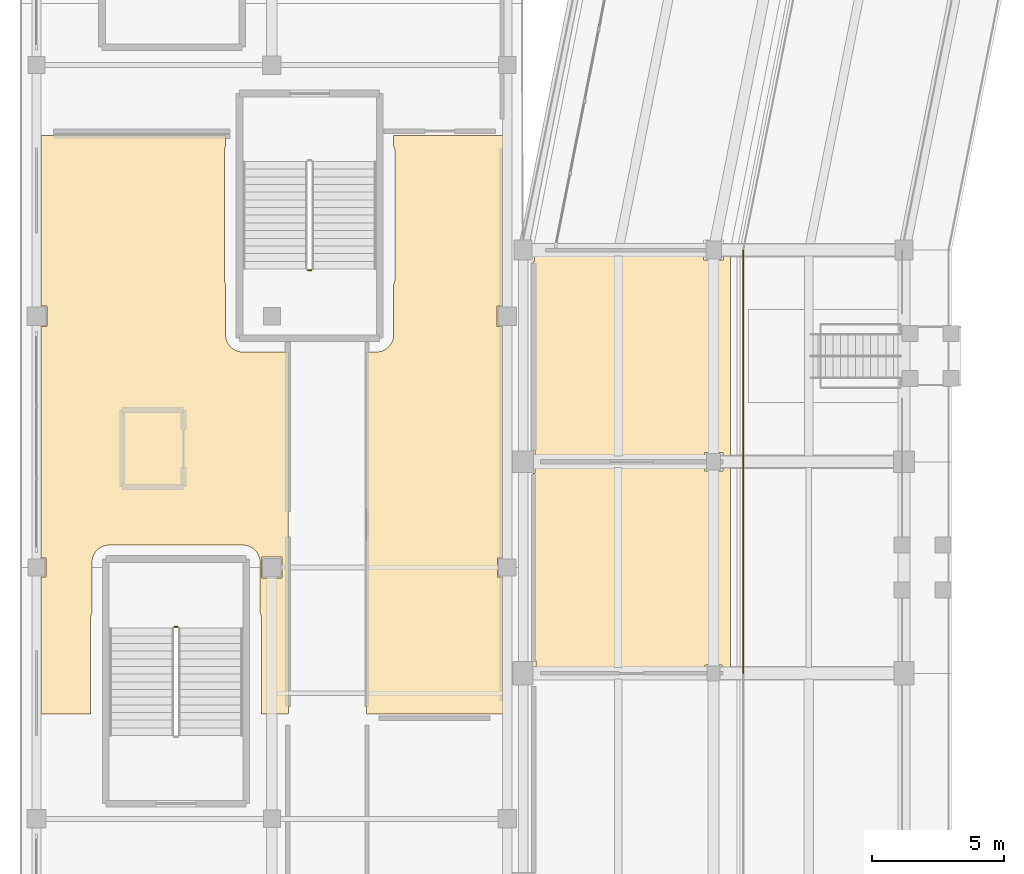
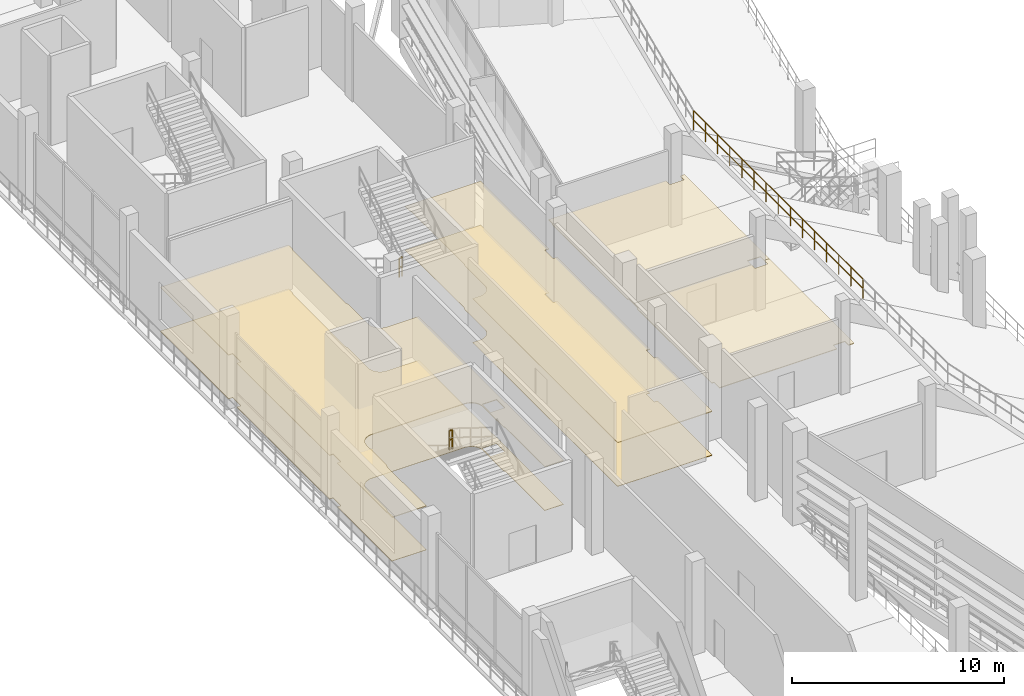
# One storey, part 105 of 127: 6 coverings, 4 railings.
"""IFC4 building model written with IfcOpenShell, lengths in metres."""

from ifc_helpers import new_model, si_unit, direction, frame, origin, origin_2d, place, context, subcontext, project, spatial, polyline, circle, outline, extrude, material, layer, layer_set, type_object, element, save


model = new_model("IFC4")

# Units and contexts
model_context = context("Model", 3, precision=1e-05, world=origin(), true_north=direction((0.0, 1.0)))
body_context = subcontext(model_context, "Body", "Model", "MODEL_VIEW")
ifc_project = project(units=[si_unit("LENGTHUNIT", "METRE"), si_unit("AREAUNIT", "SQUARE_METRE"), si_unit("VOLUMEUNIT", "CUBIC_METRE"), si_unit("PLANEANGLEUNIT", "RADIAN"), si_unit("MASSUNIT", "GRAM", prefix="KILO")], contexts=[model_context])

# Site, building, storey
site_placement = place(None, origin())
site = spatial("IfcSite", under=ifc_project, at=site_placement, CompositionType="ELEMENT")
building_placement = place(site_placement, origin())
building = spatial("IfcBuilding", under=site, at=building_placement, Name="Candeia Ridge Stadium", CompositionType="ELEMENT")
storey_placement = place(building_placement, frame((0.0, 0.0, 10.800048828125)))
storey = spatial("IfcBuildingStorey", under=building, at=storey_placement, Name="L02", CompositionType="ELEMENT", Elevation=10.800048828125)

# Coverings
ifc_material_1 = material(Name="Basalt Terrazzo Finish", Category="masonry")
ifc_layer_1 = layer(ifc_material_1, 0.02490234375, Name="Basalt Terrazzo Finish", Category="masonry")
ifc_layer_set_1 = layer_set([ifc_layer_1], Name="Basalt Terrazzo Finish")
covering_type_1 = type_object("IfcCoveringType", Name="Polished Basalt Terrazzo Flooring 25", PredefinedType="FLOORING", material=ifc_layer_set_1)
covering_1_placement = place(storey_placement, origin())
element("IfcCovering", 1, at=covering_1_placement, inside=storey, type_object=covering_type_1, Name="Interior finish flooring Club Sommelier Lounge & Bar", PredefinedType="FLOORING", context=body_context, shape_type="SweptSolid", body=[
    extrude(outline(polyline([(10.12939453125, 77.494140625), (10.128662109375, 77.4912109375), (10.127685546875, 77.488525390625), (10.12646484375, 77.48583984375), (10.125, 77.4833984375), (10.123291015625, 77.48095703125), (10.12109375, 77.478759765625), (10.118896484375, 77.476806640625), (10.11669921875, 77.47509765625), (10.114013671875, 77.473388671875), (10.111572265625, 77.472412109375), (10.108642578125, 77.47119140625), (10.10595703125, 77.470703125), (10.102783203125, 77.47021484375), (10.10009765625, 77.469970703125), (9.10009765625, 77.469970703125), (9.10009765625, 81.110107421875), (9.098388671875, 81.144287109375), (9.09326171875, 81.17822265625), (9.0849609375, 81.211669921875), (9.073486328125, 81.243896484375), (9.05859375, 81.27490234375), (9.050048828125, 81.28955078125), (9.050048828125, 83.199951171875), (9.049560546875, 83.21728515625), (9.048095703125, 83.24658203125), (9.044921875, 83.28076171875), (9.040283203125, 83.309814453125), (9.03369140625, 83.343505859375), (9.026611328125, 83.3720703125), (9.0166015625, 83.405029296875), (9.006591796875, 83.4326171875), (8.99365234375, 83.46435546875), (8.98095703125, 83.4912109375), (8.96484375, 83.521484375), (8.94970703125, 83.546630859375), (8.9306640625, 83.5751953125), (8.9130859375, 83.598876953125), (8.89111328125, 83.62548828125), (8.87158203125, 83.647216796875), (8.84716796875, 83.67138671875), (8.825439453125, 83.691162109375), (8.798828125, 83.712890625), (8.775146484375, 83.730712890625), (8.74658203125, 83.74951171875), (8.721435546875, 83.764892578125), (8.691162109375, 83.781005859375), (8.664306640625, 83.793701171875), (8.6328125, 83.806640625), (8.60498046875, 83.816650390625), (8.572021484375, 83.82666015625), (8.543701171875, 83.833740234375), (8.510009765625, 83.84033203125), (8.480712890625, 83.8447265625), (8.446533203125, 83.84814453125), (8.417236328125, 83.849609375), (8.39990234375, 83.85009765625), (3.35009765625, 83.85009765625), (3.332763671875, 83.849609375), (3.303466796875, 83.84814453125), (3.269287109375, 83.8447265625), (3.239990234375, 83.84033203125), (3.206298828125, 83.833740234375), (3.177978515625, 83.82666015625), (3.14501953125, 83.816650390625), (3.1171875, 83.806640625), (3.085693359375, 83.793701171875), (3.058837890625, 83.781005859375), (3.028564453125, 83.764892578125), (3.00341796875, 83.74951171875), (2.974853515625, 83.730712890625), (2.951171875, 83.712890625), (2.924560546875, 83.691162109375), (2.90283203125, 83.67138671875), (2.87841796875, 83.647216796875), (2.85888671875, 83.62548828125), (2.8369140625, 83.598876953125), (2.8193359375, 83.5751953125), (2.80029296875, 83.546630859375), (2.78515625, 83.521484375), (2.76904296875, 83.4912109375), (2.75634765625, 83.46435546875), (2.743408203125, 83.4326171875), (2.7333984375, 83.405029296875), (2.723388671875, 83.3720703125), (2.71630859375, 83.343505859375), (2.709716796875, 83.309814453125), (2.705078125, 83.28076171875), (2.701904296875, 83.24658203125), (2.700439453125, 83.21728515625), (2.699951171875, 83.199951171875), (2.699951171875, 81.28955078125), (2.69140625, 81.27490234375), (2.676513671875, 81.243896484375), (2.6650390625, 81.211669921875), (2.65673828125, 81.17822265625), (2.651611328125, 81.144287109375), (2.64990234375, 81.110107421875), (2.64990234375, 77.469970703125), (0.800048828125, 77.469970703125), (0.797119140625, 77.47021484375), (0.794189453125, 77.470703125), (0.791259765625, 77.47119140625), (0.78857421875, 77.472412109375), (0.785888671875, 77.473388671875), (0.783203125, 77.47509765625), (0.781005859375, 77.476806640625), (0.77880859375, 77.478759765625), (0.77685546875, 77.48095703125), (0.775146484375, 77.4833984375), (0.7734375, 77.48583984375), (0.772216796875, 77.488525390625), (0.771240234375, 77.4912109375), (0.7705078125, 77.494140625), (0.77001953125, 77.4970703125), (0.77001953125, 77.5), (0.77001953125, 82.635009765625), (0.965087890625, 82.635009765625), (0.965087890625, 83.364990234375), (0.77001953125, 83.364990234375), (0.77001953125, 92.110107421875), (0.989990234375, 92.110107421875), (0.989990234375, 92.889892578125), (0.77001953125, 92.889892578125), (0.77001953125, 99.300048828125), (0.77001953125, 99.302978515625), (0.7705078125, 99.305908203125), (0.771240234375, 99.30859375), (0.772216796875, 99.3115234375), (0.7734375, 99.314208984375), (0.775146484375, 99.316650390625), (0.77685546875, 99.319091796875), (0.77880859375, 99.3212890625), (0.781005859375, 99.3232421875), (0.783203125, 99.324951171875), (0.785888671875, 99.326416015625), (0.78857421875, 99.32763671875), (0.791259765625, 99.32861328125), (0.794189453125, 99.329345703125), (0.797119140625, 99.329833984375), (0.800048828125, 99.330078125), (7.75, 99.330078125), (7.75, 98.929443359375), (7.7412109375, 98.9150390625), (7.7265625, 98.8837890625), (7.715087890625, 98.8515625), (7.706787109375, 98.818359375), (7.70166015625, 98.7841796875), (7.699951171875, 98.75), (7.699951171875, 93.889892578125), (7.70166015625, 93.855712890625), (7.706787109375, 93.82177734375), (7.715087890625, 93.788330078125), (7.7265625, 93.756103515625), (7.7412109375, 93.72509765625), (7.75, 93.71044921875), (7.75, 91.800048828125), (7.75048828125, 91.78271484375), (7.751953125, 91.75341796875), (7.755126953125, 91.71923828125), (7.759521484375, 91.690185546875), (7.766357421875, 91.656494140625), (7.7734375, 91.6279296875), (7.783447265625, 91.594970703125), (7.793212890625, 91.5673828125), (7.806396484375, 91.53564453125), (7.819091796875, 91.5087890625), (7.835205078125, 91.478515625), (7.850341796875, 91.453369140625), (7.869384765625, 91.4248046875), (7.886962890625, 91.401123046875), (7.90869140625, 91.37451171875), (7.928466796875, 91.352783203125), (7.952880859375, 91.32861328125), (7.974609375, 91.308837890625), (8.001220703125, 91.287109375), (8.02490234375, 91.269287109375), (8.053466796875, 91.25048828125), (8.07861328125, 91.235107421875), (8.10888671875, 91.218994140625), (8.135498046875, 91.206298828125), (8.167236328125, 91.193359375), (8.195068359375, 91.183349609375), (8.227783203125, 91.17333984375), (8.25634765625, 91.166259765625), (8.2900390625, 91.15966796875), (8.319091796875, 91.1552734375), (8.353515625, 91.15185546875), (8.3828125, 91.150390625), (8.39990234375, 91.14990234375), (10.1298828125, 91.14990234375), (10.1298828125, 77.5), (10.1298828125, 77.4970703125), (10.12939453125, 77.494140625)]), holes=[polyline([(9.110107421875, 83.389892578125), (9.110107421875, 82.610107421875), (9.889892578125, 82.610107421875), (9.889892578125, 83.389892578125), (9.110107421875, 83.389892578125)])]), origin(), (0.0, 0.0, 1.0), 0.02001953125),
])
covering_2_placement = place(storey_placement, origin())
element("IfcCovering", 2, at=covering_2_placement, inside=storey, type_object=covering_type_1, Name="Interior finish flooring Club Sommelier Lounge & Bar Pitchside Suite", PredefinedType="FLOORING", context=body_context, shape_type="SweptSolid", body=[
    extrude(outline(polyline([(18.205810546875, 99.329345703125), (18.208740234375, 99.32861328125), (18.21142578125, 99.32763671875), (18.214111328125, 99.326416015625), (18.216796875, 99.324951171875), (18.218994140625, 99.3232421875), (18.22119140625, 99.3212890625), (18.22314453125, 99.319091796875), (18.224853515625, 99.316650390625), (18.2265625, 99.314208984375), (18.227783203125, 99.3115234375), (18.228759765625, 99.30859375), (18.2294921875, 99.305908203125), (18.22998046875, 99.302978515625), (18.22998046875, 99.300048828125), (18.22998046875, 92.889892578125), (18.010009765625, 92.889892578125), (18.010009765625, 92.110107421875), (18.22998046875, 92.110107421875), (18.22998046875, 83.364990234375), (18.034912109375, 83.364990234375), (18.034912109375, 82.635009765625), (18.22998046875, 82.635009765625), (18.22998046875, 77.5), (18.22998046875, 77.4970703125), (18.2294921875, 77.494140625), (18.228759765625, 77.4912109375), (18.227783203125, 77.488525390625), (18.2265625, 77.48583984375), (18.224853515625, 77.4833984375), (18.22314453125, 77.48095703125), (18.22119140625, 77.478759765625), (18.218994140625, 77.476806640625), (18.216796875, 77.47509765625), (18.214111328125, 77.473388671875), (18.21142578125, 77.472412109375), (18.208740234375, 77.47119140625), (18.205810546875, 77.470703125), (18.202880859375, 77.47021484375), (18.199951171875, 77.469970703125), (13.10009765625, 77.469970703125), (13.09716796875, 77.47021484375), (13.093994140625, 77.470703125), (13.09130859375, 77.47119140625), (13.08837890625, 77.472412109375), (13.0859375, 77.473388671875), (13.083251953125, 77.47509765625), (13.0810546875, 77.476806640625), (13.078857421875, 77.478759765625), (13.076904296875, 77.48095703125), (13.0751953125, 77.4833984375), (13.073486328125, 77.48583984375), (13.072265625, 77.488525390625), (13.0712890625, 77.4912109375), (13.070556640625, 77.494140625), (13.070068359375, 77.4970703125), (13.070068359375, 77.5), (13.070068359375, 91.14990234375), (13.449951171875, 91.14990234375), (13.46728515625, 91.150390625), (13.49658203125, 91.15185546875), (13.53076171875, 91.1552734375), (13.559814453125, 91.15966796875), (13.593505859375, 91.166259765625), (13.6220703125, 91.17333984375), (13.655029296875, 91.183349609375), (13.6826171875, 91.193359375), (13.71435546875, 91.206298828125), (13.7412109375, 91.218994140625), (13.771484375, 91.235107421875), (13.796630859375, 91.25048828125), (13.8251953125, 91.269287109375), (13.848876953125, 91.287109375), (13.87548828125, 91.308837890625), (13.897216796875, 91.32861328125), (13.92138671875, 91.352783203125), (13.941162109375, 91.37451171875), (13.962890625, 91.401123046875), (13.980712890625, 91.4248046875), (13.99951171875, 91.453369140625), (14.014892578125, 91.478515625), (14.031005859375, 91.5087890625), (14.043701171875, 91.53564453125), (14.056640625, 91.5673828125), (14.066650390625, 91.594970703125), (14.07666015625, 91.6279296875), (14.083740234375, 91.656494140625), (14.09033203125, 91.690185546875), (14.0947265625, 91.71923828125), (14.09814453125, 91.75341796875), (14.099609375, 91.78271484375), (14.10009765625, 91.800048828125), (14.10009765625, 93.71044921875), (14.108642578125, 93.72509765625), (14.123291015625, 93.756103515625), (14.135009765625, 93.788330078125), (14.143310546875, 93.82177734375), (14.148193359375, 93.855712890625), (14.14990234375, 93.889892578125), (14.14990234375, 98.75), (14.148193359375, 98.7841796875), (14.143310546875, 98.818359375), (14.135009765625, 98.8515625), (14.123291015625, 98.8837890625), (14.108642578125, 98.9150390625), (14.10009765625, 98.929443359375), (14.10009765625, 99.330078125), (18.199951171875, 99.330078125), (18.202880859375, 99.329833984375), (18.205810546875, 99.329345703125)])), origin(), (0.0, 0.0, 1.0), 0.02001953125),
])
ifc_material_2 = material(Name="Western Red Cedar Acoustic Slat", Category="wood")
ifc_layer_2 = layer(ifc_material_2, 0.044921875, Name="Western Red Cedar Acoustic Slat", Category="wood")
ifc_layer_set_2 = layer_set([ifc_layer_2], Name="Western Red Cedar Acoustic Slat")
covering_type_2 = type_object("IfcCoveringType", Name="Slatted Cedar Acoustic Ceiling 45", PredefinedType="CEILING", material=ifc_layer_set_2)
covering_3_placement = place(storey_placement, frame((0.0, 0.0, 2.510009765625)))
element("IfcCovering", 3, at=covering_3_placement, inside=storey, type_object=covering_type_2, Name="Acoustic ceiling Club Sommelier Lounge & Bar", PredefinedType="CEILING", context=body_context, shape_type="SweptSolid", body=[
    extrude(outline(polyline([(10.12939453125, 77.494140625), (10.128662109375, 77.4912109375), (10.127685546875, 77.488525390625), (10.12646484375, 77.48583984375), (10.125, 77.4833984375), (10.123291015625, 77.48095703125), (10.12109375, 77.478759765625), (10.118896484375, 77.476806640625), (10.11669921875, 77.47509765625), (10.114013671875, 77.473388671875), (10.111572265625, 77.472412109375), (10.108642578125, 77.47119140625), (10.10595703125, 77.470703125), (10.102783203125, 77.47021484375), (10.10009765625, 77.469970703125), (9.10009765625, 77.469970703125), (9.10009765625, 81.110107421875), (9.098388671875, 81.144287109375), (9.09326171875, 81.17822265625), (9.0849609375, 81.211669921875), (9.073486328125, 81.243896484375), (9.05859375, 81.27490234375), (9.050048828125, 81.28955078125), (9.050048828125, 83.199951171875), (9.049560546875, 83.21728515625), (9.048095703125, 83.24658203125), (9.044921875, 83.28076171875), (9.040283203125, 83.309814453125), (9.03369140625, 83.343505859375), (9.026611328125, 83.3720703125), (9.0166015625, 83.405029296875), (9.006591796875, 83.4326171875), (8.99365234375, 83.46435546875), (8.98095703125, 83.4912109375), (8.96484375, 83.521484375), (8.94970703125, 83.546630859375), (8.9306640625, 83.5751953125), (8.9130859375, 83.598876953125), (8.89111328125, 83.62548828125), (8.87158203125, 83.647216796875), (8.84716796875, 83.67138671875), (8.825439453125, 83.691162109375), (8.798828125, 83.712890625), (8.775146484375, 83.730712890625), (8.74658203125, 83.74951171875), (8.721435546875, 83.764892578125), (8.691162109375, 83.781005859375), (8.664306640625, 83.793701171875), (8.6328125, 83.806640625), (8.60498046875, 83.816650390625), (8.572021484375, 83.82666015625), (8.543701171875, 83.833740234375), (8.510009765625, 83.84033203125), (8.480712890625, 83.8447265625), (8.446533203125, 83.84814453125), (8.417236328125, 83.849609375), (8.39990234375, 83.85009765625), (3.35009765625, 83.85009765625), (3.332763671875, 83.849609375), (3.303466796875, 83.84814453125), (3.269287109375, 83.8447265625), (3.239990234375, 83.84033203125), (3.206298828125, 83.833740234375), (3.177978515625, 83.82666015625), (3.14501953125, 83.816650390625), (3.1171875, 83.806640625), (3.085693359375, 83.793701171875), (3.058837890625, 83.781005859375), (3.028564453125, 83.764892578125), (3.00341796875, 83.74951171875), (2.974853515625, 83.730712890625), (2.951171875, 83.712890625), (2.924560546875, 83.691162109375), (2.90283203125, 83.67138671875), (2.87841796875, 83.647216796875), (2.85888671875, 83.62548828125), (2.8369140625, 83.598876953125), (2.8193359375, 83.5751953125), (2.80029296875, 83.546630859375), (2.78515625, 83.521484375), (2.76904296875, 83.4912109375), (2.75634765625, 83.46435546875), (2.743408203125, 83.4326171875), (2.7333984375, 83.405029296875), (2.723388671875, 83.3720703125), (2.71630859375, 83.343505859375), (2.709716796875, 83.309814453125), (2.705078125, 83.28076171875), (2.701904296875, 83.24658203125), (2.700439453125, 83.21728515625), (2.699951171875, 83.199951171875), (2.699951171875, 81.28955078125), (2.69140625, 81.27490234375), (2.676513671875, 81.243896484375), (2.6650390625, 81.211669921875), (2.65673828125, 81.17822265625), (2.651611328125, 81.144287109375), (2.64990234375, 81.110107421875), (2.64990234375, 77.469970703125), (0.800048828125, 77.469970703125), (0.797119140625, 77.47021484375), (0.794189453125, 77.470703125), (0.791259765625, 77.47119140625), (0.78857421875, 77.472412109375), (0.785888671875, 77.473388671875), (0.783203125, 77.47509765625), (0.781005859375, 77.476806640625), (0.77880859375, 77.478759765625), (0.77685546875, 77.48095703125), (0.775146484375, 77.4833984375), (0.7734375, 77.48583984375), (0.772216796875, 77.488525390625), (0.771240234375, 77.4912109375), (0.7705078125, 77.494140625), (0.77001953125, 77.4970703125), (0.77001953125, 77.5), (0.77001953125, 82.635009765625), (0.965087890625, 82.635009765625), (0.965087890625, 83.364990234375), (0.77001953125, 83.364990234375), (0.77001953125, 92.110107421875), (0.989990234375, 92.110107421875), (0.989990234375, 92.889892578125), (0.77001953125, 92.889892578125), (0.77001953125, 99.300048828125), (0.77001953125, 99.302978515625), (0.7705078125, 99.305908203125), (0.771240234375, 99.30859375), (0.772216796875, 99.3115234375), (0.7734375, 99.314208984375), (0.775146484375, 99.316650390625), (0.77685546875, 99.319091796875), (0.77880859375, 99.3212890625), (0.781005859375, 99.3232421875), (0.783203125, 99.324951171875), (0.785888671875, 99.326416015625), (0.78857421875, 99.32763671875), (0.791259765625, 99.32861328125), (0.794189453125, 99.329345703125), (0.797119140625, 99.329833984375), (0.800048828125, 99.330078125), (7.75, 99.330078125), (7.75, 98.929443359375), (7.7412109375, 98.9150390625), (7.7265625, 98.8837890625), (7.715087890625, 98.8515625), (7.706787109375, 98.818359375), (7.70166015625, 98.7841796875), (7.699951171875, 98.75), (7.699951171875, 93.889892578125), (7.70166015625, 93.855712890625), (7.706787109375, 93.82177734375), (7.715087890625, 93.788330078125), (7.7265625, 93.756103515625), (7.7412109375, 93.72509765625), (7.75, 93.71044921875), (7.75, 91.800048828125), (7.75048828125, 91.78271484375), (7.751953125, 91.75341796875), (7.755126953125, 91.71923828125), (7.759521484375, 91.690185546875), (7.766357421875, 91.656494140625), (7.7734375, 91.6279296875), (7.783447265625, 91.594970703125), (7.793212890625, 91.5673828125), (7.806396484375, 91.53564453125), (7.819091796875, 91.5087890625), (7.835205078125, 91.478515625), (7.850341796875, 91.453369140625), (7.869384765625, 91.4248046875), (7.886962890625, 91.401123046875), (7.90869140625, 91.37451171875), (7.928466796875, 91.352783203125), (7.952880859375, 91.32861328125), (7.974609375, 91.308837890625), (8.001220703125, 91.287109375), (8.02490234375, 91.269287109375), (8.053466796875, 91.25048828125), (8.07861328125, 91.235107421875), (8.10888671875, 91.218994140625), (8.135498046875, 91.206298828125), (8.167236328125, 91.193359375), (8.195068359375, 91.183349609375), (8.227783203125, 91.17333984375), (8.25634765625, 91.166259765625), (8.2900390625, 91.15966796875), (8.319091796875, 91.1552734375), (8.353515625, 91.15185546875), (8.3828125, 91.150390625), (8.39990234375, 91.14990234375), (10.1298828125, 91.14990234375), (10.1298828125, 77.5), (10.1298828125, 77.4970703125), (10.12939453125, 77.494140625)]), holes=[polyline([(9.110107421875, 83.389892578125), (9.110107421875, 82.610107421875), (9.889892578125, 82.610107421875), (9.889892578125, 83.389892578125), (9.110107421875, 83.389892578125)])]), origin(), (0.0, 0.0, 1.0), 0.0400390625),
])
covering_4_placement = place(storey_placement, frame((0.0, 0.0, 2.510009765625)))
element("IfcCovering", 4, at=covering_4_placement, inside=storey, type_object=covering_type_2, Name="Acoustic ceiling Club Sommelier Lounge & Bar Pitchside Suite", PredefinedType="CEILING", context=body_context, shape_type="SweptSolid", body=[
    extrude(outline(polyline([(18.205810546875, 99.329345703125), (18.208740234375, 99.32861328125), (18.21142578125, 99.32763671875), (18.214111328125, 99.326416015625), (18.216796875, 99.324951171875), (18.218994140625, 99.3232421875), (18.22119140625, 99.3212890625), (18.22314453125, 99.319091796875), (18.224853515625, 99.316650390625), (18.2265625, 99.314208984375), (18.227783203125, 99.3115234375), (18.228759765625, 99.30859375), (18.2294921875, 99.305908203125), (18.22998046875, 99.302978515625), (18.22998046875, 99.300048828125), (18.22998046875, 92.889892578125), (18.010009765625, 92.889892578125), (18.010009765625, 92.110107421875), (18.22998046875, 92.110107421875), (18.22998046875, 83.364990234375), (18.034912109375, 83.364990234375), (18.034912109375, 82.635009765625), (18.22998046875, 82.635009765625), (18.22998046875, 77.5), (18.22998046875, 77.4970703125), (18.2294921875, 77.494140625), (18.228759765625, 77.4912109375), (18.227783203125, 77.488525390625), (18.2265625, 77.48583984375), (18.224853515625, 77.4833984375), (18.22314453125, 77.48095703125), (18.22119140625, 77.478759765625), (18.218994140625, 77.476806640625), (18.216796875, 77.47509765625), (18.214111328125, 77.473388671875), (18.21142578125, 77.472412109375), (18.208740234375, 77.47119140625), (18.205810546875, 77.470703125), (18.202880859375, 77.47021484375), (18.199951171875, 77.469970703125), (13.10009765625, 77.469970703125), (13.09716796875, 77.47021484375), (13.093994140625, 77.470703125), (13.09130859375, 77.47119140625), (13.08837890625, 77.472412109375), (13.0859375, 77.473388671875), (13.083251953125, 77.47509765625), (13.0810546875, 77.476806640625), (13.078857421875, 77.478759765625), (13.076904296875, 77.48095703125), (13.0751953125, 77.4833984375), (13.073486328125, 77.48583984375), (13.072265625, 77.488525390625), (13.0712890625, 77.4912109375), (13.070556640625, 77.494140625), (13.070068359375, 77.4970703125), (13.070068359375, 77.5), (13.070068359375, 91.14990234375), (13.449951171875, 91.14990234375), (13.46728515625, 91.150390625), (13.49658203125, 91.15185546875), (13.53076171875, 91.1552734375), (13.559814453125, 91.15966796875), (13.593505859375, 91.166259765625), (13.6220703125, 91.17333984375), (13.655029296875, 91.183349609375), (13.6826171875, 91.193359375), (13.71435546875, 91.206298828125), (13.7412109375, 91.218994140625), (13.771484375, 91.235107421875), (13.796630859375, 91.25048828125), (13.8251953125, 91.269287109375), (13.848876953125, 91.287109375), (13.87548828125, 91.308837890625), (13.897216796875, 91.32861328125), (13.92138671875, 91.352783203125), (13.941162109375, 91.37451171875), (13.962890625, 91.401123046875), (13.980712890625, 91.4248046875), (13.99951171875, 91.453369140625), (14.014892578125, 91.478515625), (14.031005859375, 91.5087890625), (14.043701171875, 91.53564453125), (14.056640625, 91.5673828125), (14.066650390625, 91.594970703125), (14.07666015625, 91.6279296875), (14.083740234375, 91.656494140625), (14.09033203125, 91.690185546875), (14.0947265625, 91.71923828125), (14.09814453125, 91.75341796875), (14.099609375, 91.78271484375), (14.10009765625, 91.800048828125), (14.10009765625, 93.71044921875), (14.108642578125, 93.72509765625), (14.123291015625, 93.756103515625), (14.135009765625, 93.788330078125), (14.143310546875, 93.82177734375), (14.148193359375, 93.855712890625), (14.14990234375, 93.889892578125), (14.14990234375, 98.75), (14.148193359375, 98.7841796875), (14.143310546875, 98.818359375), (14.135009765625, 98.8515625), (14.123291015625, 98.8837890625), (14.108642578125, 98.9150390625), (14.10009765625, 98.929443359375), (14.10009765625, 99.330078125), (18.199951171875, 99.330078125), (18.202880859375, 99.329833984375), (18.205810546875, 99.329345703125)])), origin(), (0.0, 0.0, 1.0), 0.0400390625),
])
covering_5_placement = place(storey_placement, frame((0.0, 0.0, 2.510009765625)))
element("IfcCovering", 5, at=covering_5_placement, inside=storey, type_object=covering_type_2, Name="Acoustic ceiling Club Hospitality Suite L02-12", PredefinedType="CEILING", context=body_context, shape_type="SweptSolid", body=[
    extrude(outline(polyline([(26.829345703125, 86.994140625), (26.82861328125, 86.9912109375), (26.82763671875, 86.988525390625), (26.826416015625, 86.98583984375), (26.824951171875, 86.9833984375), (26.8232421875, 86.98095703125), (26.8212890625, 86.978759765625), (26.819091796875, 86.976806640625), (26.816650390625, 86.97509765625), (26.814208984375, 86.973388671875), (26.8115234375, 86.972412109375), (26.80859375, 86.97119140625), (26.805908203125, 86.970703125), (26.802978515625, 86.97021484375), (26.800048828125, 86.969970703125), (26.550048828125, 86.969970703125), (26.550048828125, 87.35009765625), (25.85009765625, 87.35009765625), (25.85009765625, 86.969970703125), (19.43994140625, 86.969970703125), (19.43994140625, 87.43994140625), (19.3701171875, 87.43994140625), (19.3701171875, 94.580078125), (19.419921875, 94.580078125), (19.419921875, 94.989990234375), (25.820068359375, 94.989990234375), (25.820068359375, 94.6201171875), (26.580078125, 94.6201171875), (26.580078125, 94.989990234375), (26.800048828125, 94.989990234375), (26.802978515625, 94.989990234375), (26.805908203125, 94.989501953125), (26.80859375, 94.98876953125), (26.8115234375, 94.98779296875), (26.814208984375, 94.986572265625), (26.816650390625, 94.98486328125), (26.819091796875, 94.983154296875), (26.8212890625, 94.981201171875), (26.8232421875, 94.97900390625), (26.824951171875, 94.976806640625), (26.826416015625, 94.97412109375), (26.82763671875, 94.971435546875), (26.82861328125, 94.96875), (26.829345703125, 94.9658203125), (26.829833984375, 94.962890625), (26.830078125, 94.9599609375), (26.830078125, 87.0), (26.829833984375, 86.9970703125), (26.829345703125, 86.994140625)])), origin(), (0.0, 0.0, 1.0), 0.0400390625),
])
covering_6_placement = place(storey_placement, frame((0.0, 0.0, 2.510009765625)))
element("IfcCovering", 6, at=covering_6_placement, inside=storey, type_object=covering_type_2, Name="Acoustic ceiling Club Lounge Champagne Bar L02-13", PredefinedType="CEILING", context=body_context, shape_type="SweptSolid", body=[
    extrude(outline(polyline([(26.829345703125, 78.994140625), (26.82861328125, 78.9912109375), (26.82763671875, 78.988525390625), (26.826416015625, 78.98583984375), (26.824951171875, 78.9833984375), (26.8232421875, 78.98095703125), (26.8212890625, 78.978759765625), (26.819091796875, 78.976806640625), (26.816650390625, 78.97509765625), (26.814208984375, 78.973388671875), (26.8115234375, 78.972412109375), (26.80859375, 78.97119140625), (26.805908203125, 78.970703125), (26.802978515625, 78.97021484375), (26.800048828125, 78.969970703125), (26.52001953125, 78.969970703125), (26.52001953125, 79.320068359375), (25.8798828125, 79.320068359375), (25.8798828125, 78.969970703125), (19.489990234375, 78.969970703125), (19.489990234375, 79.489990234375), (19.3701171875, 79.489990234375), (19.3701171875, 86.56005859375), (19.43994140625, 86.56005859375), (19.43994140625, 86.989990234375), (25.85009765625, 86.989990234375), (25.85009765625, 86.64990234375), (26.550048828125, 86.64990234375), (26.550048828125, 86.989990234375), (26.800048828125, 86.989990234375), (26.802978515625, 86.989990234375), (26.805908203125, 86.989501953125), (26.80859375, 86.98876953125), (26.8115234375, 86.98779296875), (26.814208984375, 86.986572265625), (26.816650390625, 86.98486328125), (26.819091796875, 86.983154296875), (26.8212890625, 86.981201171875), (26.8232421875, 86.97900390625), (26.824951171875, 86.976806640625), (26.826416015625, 86.97412109375), (26.82763671875, 86.971435546875), (26.82861328125, 86.96875), (26.829345703125, 86.9658203125), (26.829833984375, 86.962890625), (26.830078125, 86.9599609375), (26.830078125, 79.0), (26.829833984375, 78.9970703125), (26.829345703125, 78.994140625)])), origin(), (0.0, 0.0, 1.0), 0.0400390625),
])

# Railings
ifc_material_3 = material(Name="Galvanized Powder-Coated Steel", Category="steel")
ifc_layer_3 = layer(ifc_material_3, 0.074951171875, Name="Galvanized Powder-Coated Steel", Category="steel")
ifc_layer_set_3 = layer_set([ifc_layer_3], Name="Galvanized Powder-Coated Steel")
railing_type_1 = type_object("IfcRailingType", Name="Spectator Bowl Front Guardrail 1120", PredefinedType="GUARDRAIL", material=ifc_layer_set_3)
for number, where, name in (
    (7, (27.320068359375, 95.0, 4.949951171875), "Stand T2 rear safety guardrail bay 12"),
    (8, (27.320068359375, 87.0, 4.949951171875), "Stand T2 rear safety guardrail bay 13"),
):
    element("IfcRailing", number, at=place(storey_placement, frame(where)), inside=storey, type_object=railing_type_1, Name=name, PredefinedType="GUARDRAIL", context=body_context, shape_type="SweptSolid", body=[
        extrude(circle(Radius=0.02392578125, at=origin_2d()), frame((0.0, 0.0, 1.09619140625), z_axis=(0.0, -1.0, 0.0), x_axis=(1.0, 0.0, 0.0)), (0.0, 0.0, 1.0), 8.0),
        extrude(circle(Radius=0.02392578125, at=origin_2d()), frame((0.0, 0.0, 0.56005859375), z_axis=(0.0, -1.0, 0.0), x_axis=(1.0, 0.0, 0.0)), (0.0, 0.0, 1.0), 8.0),
        extrude(circle(Radius=0.02099609375, at=origin_2d()), origin(), (0.0, 0.0, 1.0), 1.072021484375),
        extrude(circle(Radius=0.02099609375, at=origin_2d()), frame((0.0, -1.142822265625, 0.0)), (0.0, 0.0, 1.0), 1.072021484375),
        extrude(circle(Radius=0.02099609375, at=origin_2d()), frame((0.0, -2.28564453125, 0.0)), (0.0, 0.0, 1.0), 1.072021484375),
        extrude(circle(Radius=0.02099609375, at=origin_2d()), frame((0.0, -3.428466796875, 0.0)), (0.0, 0.0, 1.0), 1.072021484375),
        extrude(circle(Radius=0.02099609375, at=origin_2d()), frame((0.0, -4.571533203125, 0.0)), (0.0, 0.0, 1.0), 1.072021484375),
        extrude(circle(Radius=0.02099609375, at=origin_2d()), frame((0.0, -5.71435546875, 0.0)), (0.0, 0.0, 1.0), 1.072021484375),
        extrude(circle(Radius=0.02099609375, at=origin_2d()), frame((0.0, -6.857177734375, 0.0)), (0.0, 0.0, 1.0), 1.072021484375),
        extrude(circle(Radius=0.02099609375, at=origin_2d()), frame((0.0, -8.0, 0.0)), (0.0, 0.0, 1.0), 1.072021484375),
    ])
ifc_layer_4 = layer(ifc_material_3, 0.06005859375, Name="Galvanized Powder-Coated Steel", Category="steel")
ifc_layer_set_4 = layer_set([ifc_layer_4], Name="Galvanized Powder-Coated Steel")
railing_type_2 = type_object("IfcRailingType", Name="Stair Well Guardrail 1100", PredefinedType="GUARDRAIL", material=ifc_layer_set_4)
railing_1_placement = place(storey_placement, frame((5.949951171875, 80.760009765625, 2.699951171875)))
element("IfcRailing", 9, at=railing_1_placement, inside=storey, type_object=railing_type_2, Name="L02 ST07 stair guard 2", PredefinedType="GUARDRAIL", context=body_context, shape_type="SweptSolid", body=[
    extrude(circle(Radius=0.02392578125, at=origin_2d()), frame((0.0, 0.0, 1.076171875), z_axis=(-1.0, 0.0, 0.0), x_axis=(0.0, -1.0, 0.0)), (0.0, 0.0, 1.0), 0.14990234375),
    extrude(circle(Radius=0.02392578125, at=origin_2d()), frame((0.0, 0.0, 0.550048828125), z_axis=(-1.0, 0.0, 0.0), x_axis=(0.0, -1.0, 0.0)), (0.0, 0.0, 1.0), 0.14990234375),
    extrude(circle(Radius=0.02099609375, at=origin_2d()), origin(), (0.0, 0.0, 1.0), 1.052001953125),
    extrude(circle(Radius=0.02099609375, at=origin_2d()), frame((-0.14990234375, 0.0, 0.0)), (0.0, 0.0, 1.0), 1.052001953125),
])
railing_2_placement = place(storey_placement, frame((10.85009765625, 94.239990234375, 2.699951171875)))
element("IfcRailing", 10, at=railing_2_placement, inside=storey, type_object=railing_type_2, Name="L02 ST08 stair guard 2", PredefinedType="GUARDRAIL", context=body_context, shape_type="SweptSolid", body=[
    extrude(circle(Radius=0.02392578125, at=origin_2d()), frame((0.0, 0.0, 1.076171875), z_axis=(1.0, 0.0, 0.0), x_axis=(0.0, 1.0, 0.0)), (0.0, 0.0, 1.0), 0.14990234375),
    extrude(circle(Radius=0.02392578125, at=origin_2d()), frame((0.0, 0.0, 0.550048828125), z_axis=(1.0, 0.0, 0.0), x_axis=(0.0, 1.0, 0.0)), (0.0, 0.0, 1.0), 0.14990234375),
    extrude(circle(Radius=0.02099609375, at=origin_2d()), origin(), (0.0, 0.0, 1.0), 1.052001953125),
    extrude(circle(Radius=0.02099609375, at=origin_2d()), frame((0.14990234375, 0.0, 0.0)), (0.0, 0.0, 1.0), 1.052001953125),
])

save(model, "model.ifc")
